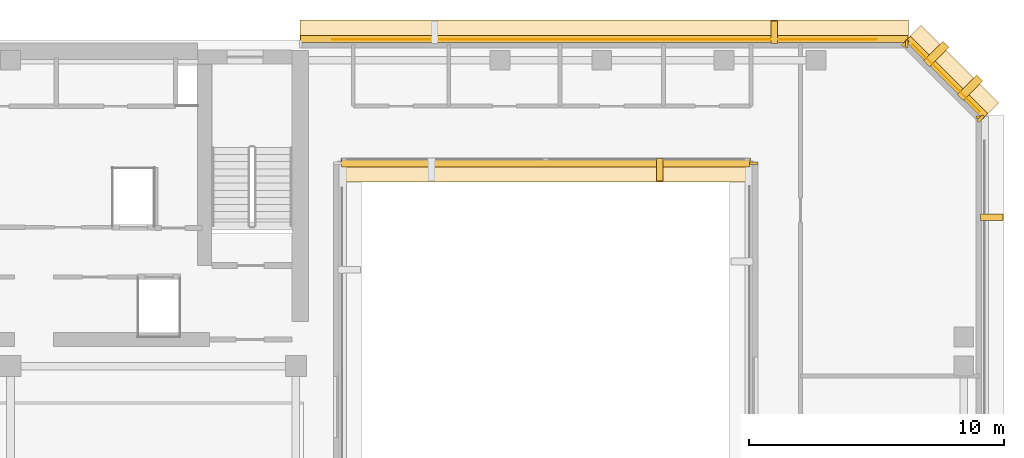
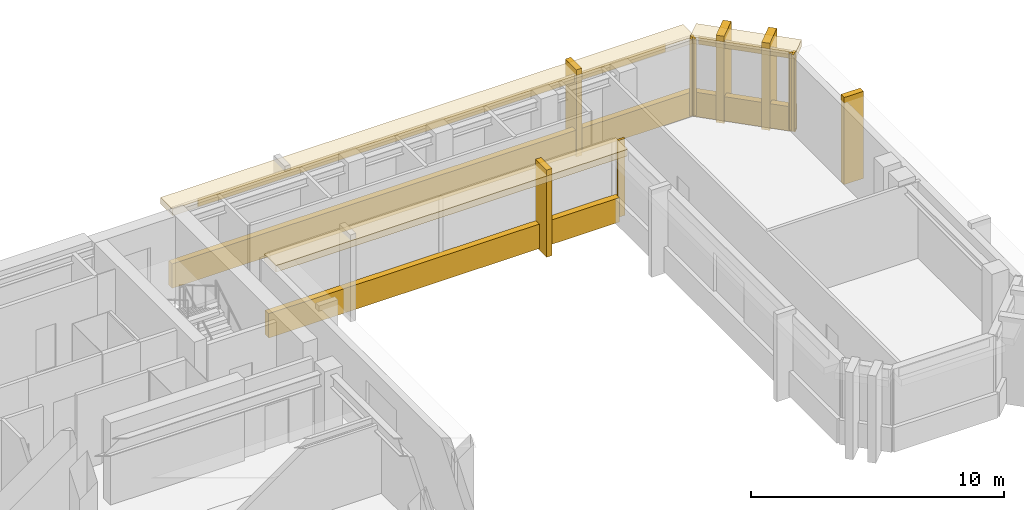
# One storey, part 11 of 11: 18 coverings.
"""IFC4 building model written with IfcOpenShell, lengths in metres."""

import ifcopenshell
import ifcopenshell.guid

model = None  # the IFC model being written
_history = None  # IfcOwnerHistory: only IFC2X3 demands one
_inside = {}  # id of a spatial element -> (the spatial element, [elements in it])
_under = {}  # id of a project, library or spatial element -> (it, [spatial elements below it])
_declared = {}  # id of a project -> (the project, [libraries it declares])
_typed = {}  # id of a type object -> (the type object, [elements of that type])
_made_of = {}  # id of a material, layer set ... -> (it, [elements and type objects made of it])


def new_model(schema):
    """Start an empty IFC model of exactly this schema.

    Asked for "IFC4X3", IfcOpenShell would pick the latest addendum, in which some entities
    have other attributes; the version numbers below select the first issue.
    IFC2X3 requires an IfcOwnerHistory on every rooted entity: one is made here for all.
    """
    global model, _history
    if schema == "IFC4X3":
        model = ifcopenshell.file(schema_version=(4, 3, 0, 0))
    else:
        model = ifcopenshell.file(schema=schema)
    _inside.clear()
    _under.clear()
    _declared.clear()
    _typed.clear()
    _made_of.clear()
    _history = None
    if model.schema == "IFC2X3":
        org = make("IfcOrganization", Name="unknown")
        user = make(
            "IfcPersonAndOrganization",
            ThePerson=make("IfcPerson", FamilyName="unknown"),
            TheOrganization=org,
        )
        app = make(
            "IfcApplication",
            ApplicationDeveloper=org,
            Version="unknown",
            ApplicationFullName="unknown",
            ApplicationIdentifier="unknown",
        )
        _history = make(
            "IfcOwnerHistory",
            OwningUser=user,
            OwningApplication=app,
            ChangeAction="ADDED",
            CreationDate=0,
        )
    return model


def make(cls, **values):
    """One entity of the class cls with the attributes given. An attribute that is None is left unset."""
    return model.create_entity(
        cls, **{name: value for name, value in values.items() if value is not None}
    )


def rooted(cls, **values):
    """An entity with a GlobalId (a new one), such as an element, a storey or a relation."""
    return make(cls, GlobalId=ifcopenshell.guid.new(), OwnerHistory=_history, **values)


def si_unit(unit_type, name, prefix=None):
    """IfcSIUnit, for example si_unit("LENGTHUNIT", "METRE", prefix="MILLI")."""
    return make("IfcSIUnit", UnitType=unit_type, Prefix=prefix, Name=name)


def assignment(units):
    """IfcUnitAssignment: the units of a project."""
    return None if units is None else make("IfcUnitAssignment", Units=units)


def point(xyz):
    """IfcCartesianPoint."""
    return None if xyz is None else make("IfcCartesianPoint", Coordinates=xyz)


def direction(xyz):
    """IfcDirection."""
    return None if xyz is None else make("IfcDirection", DirectionRatios=xyz)


def frame(location, z_axis=None, x_axis=None):
    """IfcAxis2Placement3D, a coordinate frame: its origin and axes. An axis left out is left unset."""
    return make(
        "IfcAxis2Placement3D",
        Location=point(location),
        Axis=direction(z_axis),
        RefDirection=direction(x_axis),
    )


def frame_2d(location, x_axis=None):
    """IfcAxis2Placement2D, a coordinate frame in the plane: its origin and x axis."""
    return make(
        "IfcAxis2Placement2D", Location=point(location), RefDirection=direction(x_axis)
    )


def origin():
    """The frame at (0, 0, 0) with its axes left unset."""
    return frame((0.0, 0.0, 0.0))


def origin_2d():
    """The frame at (0, 0) in the plane with its x axis left unset."""
    return frame_2d((0.0, 0.0))


def place(relative_to, where):
    """IfcLocalPlacement: puts the frame where relative to a parent placement (None: the world)."""
    return make(
        "IfcLocalPlacement", PlacementRelTo=relative_to, RelativePlacement=where
    )


def context(
    kind, dimensions, precision=None, world=None, true_north=None, identifier=None
):
    """IfcGeometricRepresentationContext, for example the 3D "Model" context."""
    return make(
        "IfcGeometricRepresentationContext",
        ContextIdentifier=identifier,
        ContextType=kind,
        CoordinateSpaceDimension=dimensions,
        Precision=precision,
        WorldCoordinateSystem=world,
        TrueNorth=true_north,
    )


def subcontext(parent, identifier, kind, view, scale=None):
    """IfcGeometricRepresentationSubContext, for example "Body" below "Model"."""
    return make(
        "IfcGeometricRepresentationSubContext",
        ContextIdentifier=identifier,
        ContextType=kind,
        ParentContext=parent,
        TargetScale=scale,
        TargetView=view,
    )


def project(units=None, contexts=None):
    """IfcProject with its units and contexts."""
    return rooted(
        "IfcProject",
        Name="project",
        RepresentationContexts=contexts,
        UnitsInContext=assignment(units),
    )


def spatial(cls, under=None, at=None, **own):
    """A site, building, storey or space (cls), placed at a placement, below another one or the project."""
    s = rooted(cls, ObjectPlacement=at, **own)
    if under is not None:
        _under.setdefault(under.id(), (under, []))[1].append(s)
    return s


def profile(cls, at=None, kind="AREA", **sizes):
    """A parametric profile (cls). Its sizes go by their IFC names, for example OverallWidth=200.0."""
    return make(cls, ProfileType=kind, Position=at, **sizes)


def rectangle(**sizes):
    """IfcRectangleProfileDef."""
    return profile("IfcRectangleProfileDef", **sizes)


def extrude(swept, where, along, depth):
    """IfcExtrudedAreaSolid: the profile swept, set in the frame where, extruded along a direction by depth."""
    return make(
        "IfcExtrudedAreaSolid",
        SweptArea=swept,
        Position=where,
        ExtrudedDirection=direction(along),
        Depth=depth,
    )


def shape(context_of_items, identifier, shape_type, items):
    """IfcShapeRepresentation: the items that make up one representation, for example the "Body"."""
    return make(
        "IfcShapeRepresentation",
        ContextOfItems=context_of_items,
        RepresentationIdentifier=identifier,
        RepresentationType=shape_type,
        Items=items,
    )


def material(Name=None, Category=None):
    """IfcMaterial."""
    return make("IfcMaterial", Name=Name, Category=Category)


def layer(
    of_material, thickness, ventilated=None, Name=None, Category=None, Priority=None
):
    """IfcMaterialLayer: one layer of a wall or slab, of a material (None: an air gap)."""
    return make(
        "IfcMaterialLayer",
        Material=of_material,
        LayerThickness=thickness,
        IsVentilated=ventilated,
        Name=Name,
        Category=Category,
        Priority=Priority,
    )


def layer_set(layers, Name=None):
    """IfcMaterialLayerSet."""
    return make("IfcMaterialLayerSet", MaterialLayers=layers, LayerSetName=Name)


def made_of(thing, what):
    """Note that an element or type object is made of a material, layer set ...; save() writes the relation."""
    if what is not None:
        _made_of.setdefault(what.id(), (what, []))[1].append(thing)
    return thing


def type_object(cls, material=None, **own):
    """A type object (cls), such as IfcWallType, which elements share."""
    return made_of(rooted(cls, **own), material)


def element(
    cls,
    number,
    at=None,
    inside=None,
    cuts=None,
    type_object=None,
    material=None,
    context=None,
    identifier="Body",
    shape_type=None,
    held_by="IfcProductDefinitionShape",
    body=None,
    shapes=None,
    **own,
):
    """One element of the class cls, such as IfcWall. Its Tag is "e" and its number.

    at: its placement. inside: the storey or other place that contains it. cuts: it is an
    opening in that element (IfcRelVoidsElement). A single representation is given by context,
    identifier, shape_type and body (its items); several are given by shapes. held_by: the class
    of the entity that holds the representations. save() writes the other relations.
    """
    e = rooted(cls, Tag="e%d" % number, ObjectPlacement=at, **own)
    if body is not None:
        shapes = [shape(context, identifier, shape_type, body)]
    if shapes is not None:
        e.Representation = make(held_by, Representations=shapes)
    if inside is not None:
        _inside.setdefault(inside.id(), (inside, []))[1].append(e)
    if cuts is not None:
        rooted(
            "IfcRelVoidsElement", RelatingBuildingElement=cuts, RelatedOpeningElement=e
        )
    if type_object is not None:
        _typed.setdefault(type_object.id(), (type_object, []))[1].append(e)
    return made_of(e, material)


def aggregate(whole, parts):
    """IfcRelAggregates: a whole, such as a stair, and the parts it consists of."""
    return rooted("IfcRelAggregates", RelatingObject=whole, RelatedObjects=parts)


def save(model, path):
    """Write the relations noted so far, then the file.

    IfcRelAggregates (storeys below a building ...), IfcRelContainedInSpatialStructure (elements
    in a storey), IfcRelDefinesByType, IfcRelAssociatesMaterial and IfcRelDeclares: one each for
    every whole, place, type object, material and project.
    """
    for whole, parts in _under.values():
        aggregate(whole, parts)
    for where, things in _inside.values():
        rooted(
            "IfcRelContainedInSpatialStructure",
            RelatedElements=things,
            RelatingStructure=where,
        )
    for kind, things in _typed.values():
        rooted("IfcRelDefinesByType", RelatedObjects=things, RelatingType=kind)
    for what, things in _made_of.values():
        rooted("IfcRelAssociatesMaterial", RelatedObjects=things, RelatingMaterial=what)
    for by, libraries in _declared.values():
        rooted("IfcRelDeclares", RelatingContext=by, RelatedDefinitions=libraries)
    model.write(path)


model = new_model("IFC4")

# Units and contexts
model_context = context("Model", 3, precision=1e-05, world=origin(), true_north=direction((0.0, 1.0)))
body_context = subcontext(model_context, "Body", "Model", "MODEL_VIEW")
ifc_project = project(units=[si_unit("LENGTHUNIT", "METRE"), si_unit("AREAUNIT", "SQUARE_METRE"), si_unit("VOLUMEUNIT", "CUBIC_METRE"), si_unit("PLANEANGLEUNIT", "RADIAN"), si_unit("MASSUNIT", "GRAM", prefix="KILO")], contexts=[model_context])

# Site, building, storey
site_placement = place(None, origin())
site = spatial("IfcSite", under=ifc_project, at=site_placement, CompositionType="ELEMENT")
building_placement = place(site_placement, origin())
building = spatial("IfcBuilding", under=site, at=building_placement, Name="Kefirva Bronze Tower", CompositionType="ELEMENT")
storey_placement = place(building_placement, frame((0.0, 0.0, 231.659912109375)))
storey = spatial("IfcBuildingStorey", under=building, at=storey_placement, Name="L56", CompositionType="ELEMENT", Elevation=231.659912109375)

# Coverings
ifc_material = material(Name="Bronze anodised aluminium", Category="aluminium")
ifc_layer_1 = layer(ifc_material, 0.02001953125, Name="Bronze anodised aluminium")
ifc_layer_set_1 = layer_set([ifc_layer_1], Name="Bronze anodised aluminium")
covering_type_1 = type_object("IfcCoveringType", Name="Anodised Bronze Spandrel Cladding 20mm", PredefinedType="CLADDING", material=ifc_layer_set_1)
covering_1_placement = place(storey_placement, frame((33.0, 41.159912109375, -0.15966796875), z_axis=(0.0, 0.0, 1.0), x_axis=(1.0, 0.0, 0.0)))
element("IfcCovering", 1, at=covering_1_placement, inside=storey, type_object=covering_type_1, Name="L56 Streamline Horizontal Spandrel Band 6", PredefinedType="CLADDING", context=body_context, shape_type="SweptSolid", body=[
    extrude(rectangle(XDim=16.0400390625, YDim=0.280029296875, at=origin_2d()), origin(), (0.0, 0.0, 1.0), 1.179931640625),
])
for number, where, z_axis, x_axis, name in (
    (2, (41.159912109375, 41.1650390625, 0.0), (0.0, 0.0, 1.0), (0.0, -1.0, 0.0), "L56 Facade Joint Closure Panel 5S"),
    (3, (50.0400390625, 42.965087890625, 0.0), (0.0, 0.0, 1.0), (0.0, 1.0, 0.0), "L56 Facade Joint Closure Panel 9E"),
):
    element("IfcCovering", number, at=place(storey_placement, frame(where, z_axis=z_axis, x_axis=x_axis)), inside=storey, type_object=covering_type_1, Name=name, PredefinedType="CLADDING", context=body_context, shape_type="SweptSolid", body=[
        extrude(rectangle(XDim=0.10009765625, YDim=0.320068359375, at=origin_2d()), origin(), (0.0, 0.0, 1.0), 3.7099609375),
    ])
covering_2_placement = place(storey_placement, frame((48.70703125, 44.507080078125, 3.2900390625), z_axis=(0.0, 0.0, 1.0), x_axis=(-0.707106781187, 0.707106781187, 0.0)))
element("IfcCovering", 4, at=covering_2_placement, inside=storey, type_object=covering_type_1, Name="L56 Bronze Spandrel Cladding 10", PredefinedType="CLADDING", context=body_context, shape_type="SweptSolid", body=[
    extrude(rectangle(XDim=3.719482421875, YDim=0.02001953125, at=origin_2d()), origin(), (0.0, 0.0, 1.0), 0.39990234375),
])
for number, where, z_axis, x_axis, name in (
    (5, (50.06201171875, 42.91162109375, 0.0), (0.0, 0.0, 1.0), (-0.707106781187, 0.707106781187, 0.0), "L56 Facade Joint Closure Panel 10S"),
    (6, (47.11181640625, 45.862060546875, 0.0), (0.0, 0.0, 1.0), (-0.707106781187, 0.707106781187, 0.0), "L56 Facade Joint Closure Panel 10E"),
):
    element("IfcCovering", number, at=place(storey_placement, frame(where, z_axis=z_axis, x_axis=x_axis)), inside=storey, type_object=covering_type_1, Name=name, PredefinedType="CLADDING", context=body_context, shape_type="SweptSolid", body=[
        extrude(rectangle(XDim=0.10009765625, YDim=0.320068359375, at=origin_2d()), origin(), (0.0, 0.0, 1.0), 3.7099609375),
    ])
covering_3_placement = place(storey_placement, frame((48.728271484375, 44.5283203125, -0.15966796875), z_axis=(0.0, 0.0, 1.0), x_axis=(-0.707106781187, 0.707106781187, 0.0)))
element("IfcCovering", 7, at=covering_3_placement, inside=storey, type_object=covering_type_1, Name="L56 Streamline Horizontal Spandrel Band 12", PredefinedType="CLADDING", context=body_context, shape_type="SweptSolid", body=[
    extrude(rectangle(XDim=4.28271484375, YDim=0.280029296875, at=origin_2d()), origin(), (0.0, 0.0, 1.0), 1.179931640625),
])
covering_4_placement = place(storey_placement, frame((35.302490234375, 46.010009765625, 3.2900390625), z_axis=(0.0, 0.0, 1.0), x_axis=(-1.0, 0.0, 0.0)))
element("IfcCovering", 8, at=covering_4_placement, inside=storey, type_object=covering_type_1, Name="L56 Bronze Spandrel Cladding 11", PredefinedType="CLADDING", context=body_context, shape_type="SweptSolid", body=[
    extrude(rectangle(XDim=21.365966796875, YDim=0.02001953125, at=origin_2d()), origin(), (0.0, 0.0, 1.0), 0.39990234375),
])
covering_5_placement = place(storey_placement, frame((47.1650390625, 45.840087890625, 0.0), z_axis=(0.0, 0.0, 1.0), x_axis=(-1.0, 0.0, 0.0)))
element("IfcCovering", 9, at=covering_5_placement, inside=storey, type_object=covering_type_1, Name="L56 Facade Joint Closure Panel 11S", PredefinedType="CLADDING", context=body_context, shape_type="SweptSolid", body=[
    extrude(rectangle(XDim=0.10009765625, YDim=0.320068359375, at=origin_2d()), origin(), (0.0, 0.0, 1.0), 3.7099609375),
])
covering_6_placement = place(storey_placement, frame((35.302490234375, 46.0400390625, -0.15966796875), z_axis=(0.0, 0.0, 1.0), x_axis=(-1.0, 0.0, 0.0)))
element("IfcCovering", 10, at=covering_6_placement, inside=storey, type_object=covering_type_1, Name="L56 Streamline Horizontal Spandrel Band 13", PredefinedType="CLADDING", context=body_context, shape_type="SweptSolid", body=[
    extrude(rectangle(XDim=23.8349609375, YDim=0.280029296875, at=origin_2d()), origin(), (0.0, 0.0, 1.0), 1.179931640625),
])
ifc_layer_2 = layer(ifc_material, 0.179931640625, Name="Bronze anodised aluminium")
ifc_layer_set_2 = layer_set([ifc_layer_2], Name="Bronze anodised aluminium")
covering_type_2 = type_object("IfcCoveringType", Name="Streamline Bronze Sunshade Eyebrow Cladding 180mm", PredefinedType="CLADDING", material=ifc_layer_set_2)
covering_7_placement = place(storey_placement, frame((33.0, 40.889892578125, 3.39013671875), z_axis=(0.0, 0.0, 1.0), x_axis=(1.0, 0.0, 0.0)))
element("IfcCovering", 11, at=covering_7_placement, inside=storey, type_object=covering_type_2, Name="L56 Streamline Bronze Sunshade Eyebrow 6", PredefinedType="CLADDING", context=body_context, shape_type="SweptSolid", body=[
    extrude(rectangle(XDim=16.080078125, YDim=0.93994140625, at=origin_2d()), origin(), (0.0, 0.0, 1.0), 0.320068359375),
])
covering_8_placement = place(storey_placement, frame((48.919189453125, 44.71923828125, 3.39013671875), z_axis=(0.0, 0.0, 1.0), x_axis=(-0.707106781187, 0.707106781187, 0.0)))
element("IfcCovering", 12, at=covering_8_placement, inside=storey, type_object=covering_type_2, Name="L56 Streamline Bronze Sunshade Eyebrow 12", PredefinedType="CLADDING", context=body_context, shape_type="SweptSolid", body=[
    extrude(rectangle(XDim=4.322509765625, YDim=0.93994140625, at=origin_2d()), origin(), (0.0, 0.0, 1.0), 0.320068359375),
])
covering_9_placement = place(storey_placement, frame((35.302490234375, 46.31005859375, 3.39013671875), z_axis=(0.0, 0.0, 1.0), x_axis=(-1.0, 0.0, 0.0)))
element("IfcCovering", 13, at=covering_9_placement, inside=storey, type_object=covering_type_2, Name="L56 Streamline Bronze Sunshade Eyebrow 13", PredefinedType="CLADDING", context=body_context, shape_type="SweptSolid", body=[
    extrude(rectangle(XDim=23.875, YDim=0.93994140625, at=origin_2d()), origin(), (0.0, 0.0, 1.0), 0.320068359375),
])
ifc_layer_3 = layer(ifc_material, 0.260009765625, Name="Bronze anodised aluminium")
ifc_layer_set_3 = layer_set([ifc_layer_3], Name="Bronze anodised aluminium")
covering_type_3 = type_object("IfcCoveringType", Name="Unbroken Bronze Buttress Fin Cladding 260mm", PredefinedType="CLADDING", material=ifc_layer_set_3)
for number, where, z_axis, x_axis, name in (
    (14, (37.47998046875, 40.89990234375, -0.25), (0.0, 0.0, 1.0), (1.0, 0.0, 0.0), "L56 Unbroken Vertical Bronze Rib Fin 12"),
    (15, (50.5, 39.0400390625, -0.25), (0.0, 0.0, 1.0), (0.0, 1.0, 0.0), "L56 Unbroken Vertical Bronze Rib Fin 20"),
):
    element("IfcCovering", number, at=place(storey_placement, frame(where, z_axis=z_axis, x_axis=x_axis)), inside=storey, type_object=covering_type_3, Name=name, PredefinedType="CLADDING", context=body_context, shape_type="SweptSolid", body=[
        extrude(rectangle(XDim=0.260009765625, YDim=0.8798828125, at=origin_2d()), origin(), (0.0, 0.0, 1.0), 4.2099609375),
    ])
for number, where, z_axis, x_axis, name in (
    (16, (49.642822265625, 44.122802734375, -0.25), (0.0, 0.0, 1.0), (-0.707106781187, 0.707106781187, 0.0), "L56 Chamfered Corner Buttress Fin Cladding 21"),
    (17, (48.32275390625, 45.44287109375, -0.25), (0.0, 0.0, 1.0), (-0.707106781187, 0.707106781187, 0.0), "L56 Chamfered Corner Buttress Fin Cladding 22"),
):
    element("IfcCovering", number, at=place(storey_placement, frame(where, z_axis=z_axis, x_axis=x_axis)), inside=storey, type_object=covering_type_3, Name=name, PredefinedType="CLADDING", context=body_context, shape_type="SweptSolid", body=[
        extrude(rectangle(XDim=0.340087890625, YDim=1.080078125, at=origin_2d()), origin(), (0.0, 0.0, 1.0), 4.2099609375),
    ])
covering_10_placement = place(storey_placement, frame((41.965087890625, 46.300048828125, -0.25), z_axis=(0.0, 0.0, 1.0), x_axis=(-1.0, 0.0, 0.0)))
element("IfcCovering", 18, at=covering_10_placement, inside=storey, type_object=covering_type_3, Name="L56 Unbroken Vertical Bronze Rib Fin 23", PredefinedType="CLADDING", context=body_context, shape_type="SweptSolid", body=[
    extrude(rectangle(XDim=0.260009765625, YDim=0.8798828125, at=origin_2d()), origin(), (0.0, 0.0, 1.0), 4.2099609375),
])

save(model, "model.ifc")
